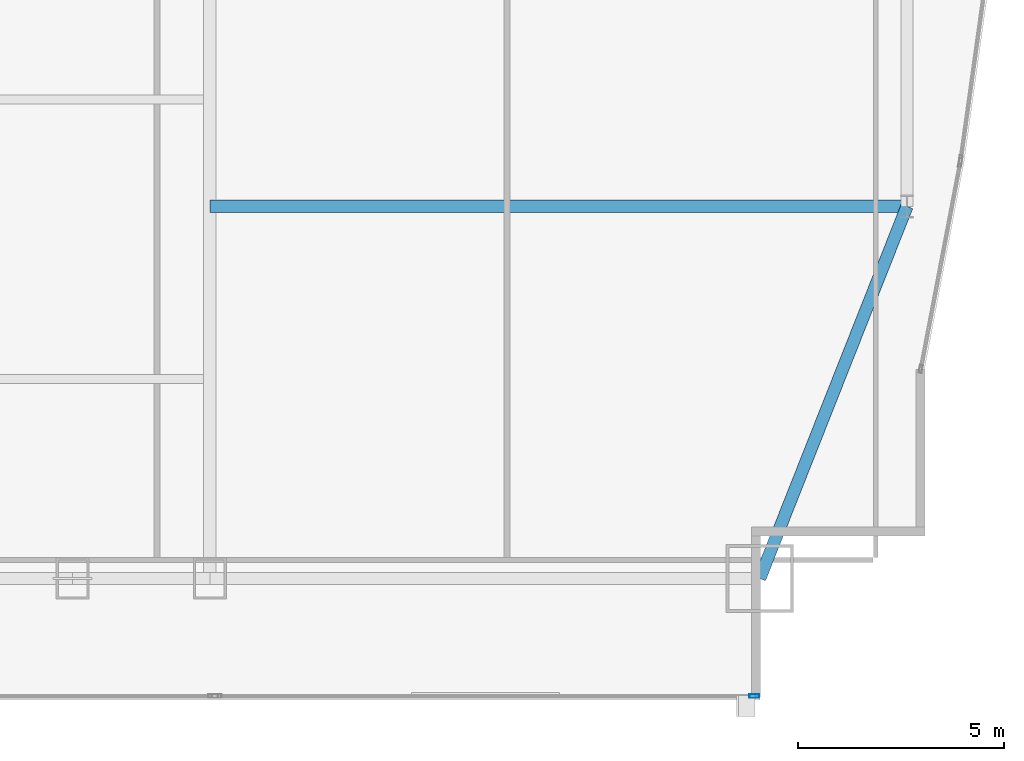
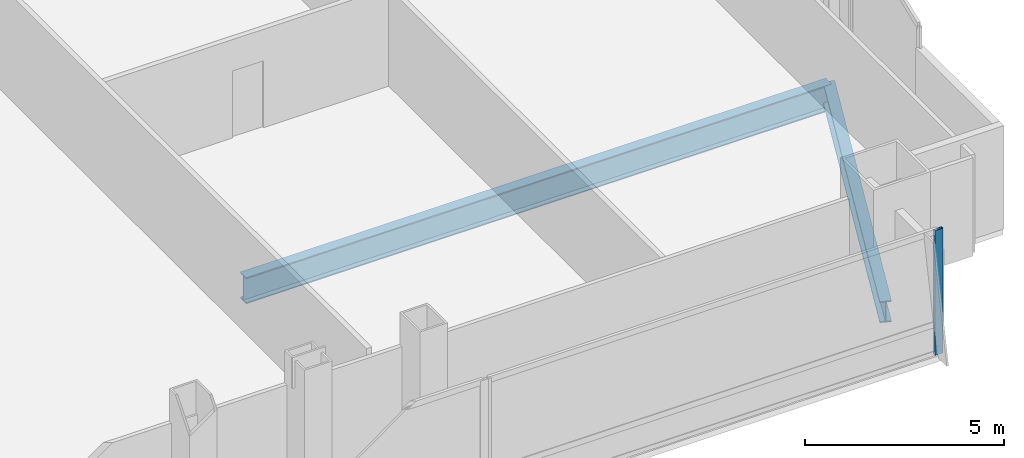
# One storey, part 21 of 37: 2 beams, 1 member, 1 element without a shape of its own.
"""IFC4 building model written with IfcOpenShell, lengths in metres."""

from ifc_helpers import new_model, si_unit, direction, frame, origin, origin_2d, place, context, subcontext, project, spatial, hollow_rectangle, i_section, extrude, material, material_profile, profile_set, type_object, element, aggregate, save


model = new_model("IFC4")

# Units and contexts
model_context = context("Model", 3, precision=1e-05, world=origin(), true_north=direction((0.0, 1.0)))
body_context = subcontext(model_context, "Body", "Model", "MODEL_VIEW")
ifc_project = project(units=[si_unit("LENGTHUNIT", "METRE"), si_unit("AREAUNIT", "SQUARE_METRE"), si_unit("VOLUMEUNIT", "CUBIC_METRE"), si_unit("PLANEANGLEUNIT", "RADIAN"), si_unit("MASSUNIT", "GRAM", prefix="KILO")], contexts=[model_context])

# Site, building, storey
site_placement = place(None, origin())
site = spatial("IfcSite", under=ifc_project, at=site_placement, CompositionType="ELEMENT")
building_placement = place(site_placement, origin())
building = spatial("IfcBuilding", under=site, at=building_placement, Name="Khoronbel Lancet Exchange", CompositionType="ELEMENT")
storey_placement = place(building_placement, frame((0.0, 0.0, 45.800048828125)))
storey = spatial("IfcBuildingStorey", under=building, at=storey_placement, Name="L10", CompositionType="ELEMENT", Elevation=45.800048828125)

# Beams
ifc_material_1 = material(Name="Steel S355", Category="steel")
ifc_material_profile_1 = material_profile(ifc_material_1, i_section(OverallWidth=0.300048828125, OverallDepth=0.800048828125, WebThickness=0.017578125, FlangeThickness=0.032958984375, at=origin_2d()), Name="HEB 800")
ifc_profile_set_1 = profile_set([ifc_material_profile_1], Name="Steel S355")
beam_type_1 = type_object("IfcBeamType", Name="BM-BG2", PredefinedType="BEAM", material=ifc_profile_set_1)
beam_1_placement = place(storey_placement, frame((54.675048828125, 19.199951171875, -0.580078125), z_axis=(1.0, 0.0, 0.0), x_axis=(0.0, 1.0, 0.0)))
element("IfcBeam", 1, at=beam_1_placement, inside=storey, type_object=beam_type_1, Name="Level L10 east lens tie girder LG1E", PredefinedType="BEAM", context=body_context, shape_type="SweptSolid", body=[
    extrude(i_section(OverallWidth=0.300048828125, OverallDepth=0.800048828125, WebThickness=0.017578125, FlangeThickness=0.032958984375, at=origin_2d()), origin(), (0.0, 0.0, 1.0), 16.954833984375),
])
ifc_material_profile_2 = material_profile(ifc_material_1, i_section(OverallWidth=0.300048828125, OverallDepth=0.64990234375, WebThickness=0.01611328125, FlangeThickness=0.031005859375, at=origin_2d()), Name="HEB 650")
ifc_profile_set_2 = profile_set([ifc_material_profile_2], Name="Steel S355")
beam_type_2 = type_object("IfcBeamType", Name="BM-BSP1", PredefinedType="SPANDREL", material=ifc_profile_set_2)
beam_2_placement = place(storey_placement, frame((68.050048828125, 10.14990234375, -0.505126953125), z_axis=(0.367828403855, 0.929893684954, 0.0), x_axis=(-0.929893684954, 0.367828403855, 0.0)))
element("IfcBeam", 2, at=beam_2_placement, inside=storey, type_object=beam_type_2, Name="Level L10 perimeter spandrel beam SP10", PredefinedType="SPANDREL", context=body_context, shape_type="SweptSolid", body=[
    extrude(i_section(OverallWidth=0.300048828125, OverallDepth=0.64990234375, WebThickness=0.01611328125, FlangeThickness=0.031005859375, at=origin_2d()), origin(), (0.0, 0.0, 1.0), 9.732421875),
])

# Curtain wall, member
ifc_material_2 = material(Name="Low-E Solar Control Insulating Glass", Category="glass")
curtain_wall_type = type_object("IfcCurtainWallType", Name="CW-1", PredefinedType="NOTDEFINED", material=ifc_material_2)
curtain_wall_placement = place(storey_placement, origin())
curtain_wall = element("IfcCurtainWall", 3, at=curtain_wall_placement, inside=storey, type_object=curtain_wall_type, Name="Unitised curtain wall CW-L10-SEV", PredefinedType="NOTDEFINED")
ifc_material_3 = material(Name="Bronze-Anodised Aluminium 6063-T6", Category="aluminium")
ifc_material_profile_3 = material_profile(ifc_material_3, hollow_rectangle(XDim=0.0849609375, YDim=0.239990234375, WallThickness=0.006103515625, at=origin_2d()), Name="ALU MULLION 85x240")
ifc_profile_set_3 = profile_set([ifc_material_profile_3], Name="Bronze-Anodised Aluminium 6063-T6")
member_type = type_object("IfcMemberType", Name="MEM-CWM1", PredefinedType="MULLION", material=ifc_profile_set_3)
member_placement = place(storey_placement, frame((67.91748046875, 7.2900390625, 0.0), z_axis=(0.0, 0.0, 1.0), x_axis=(0.0, 1.0, 0.0)))
member = element("IfcMember", 4, at=member_placement, type_object=member_type, Name="CW1 mullion 2", PredefinedType="MULLION", context=body_context, shape_type="SweptSolid", body=[
    extrude(hollow_rectangle(XDim=0.0849609375, YDim=0.239990234375, WallThickness=0.006103515625, at=origin_2d()), origin(), (0.0, 0.0, 1.0), 3.820068359375),
])
aggregate(curtain_wall, [member])

save(model, "model.ifc")
